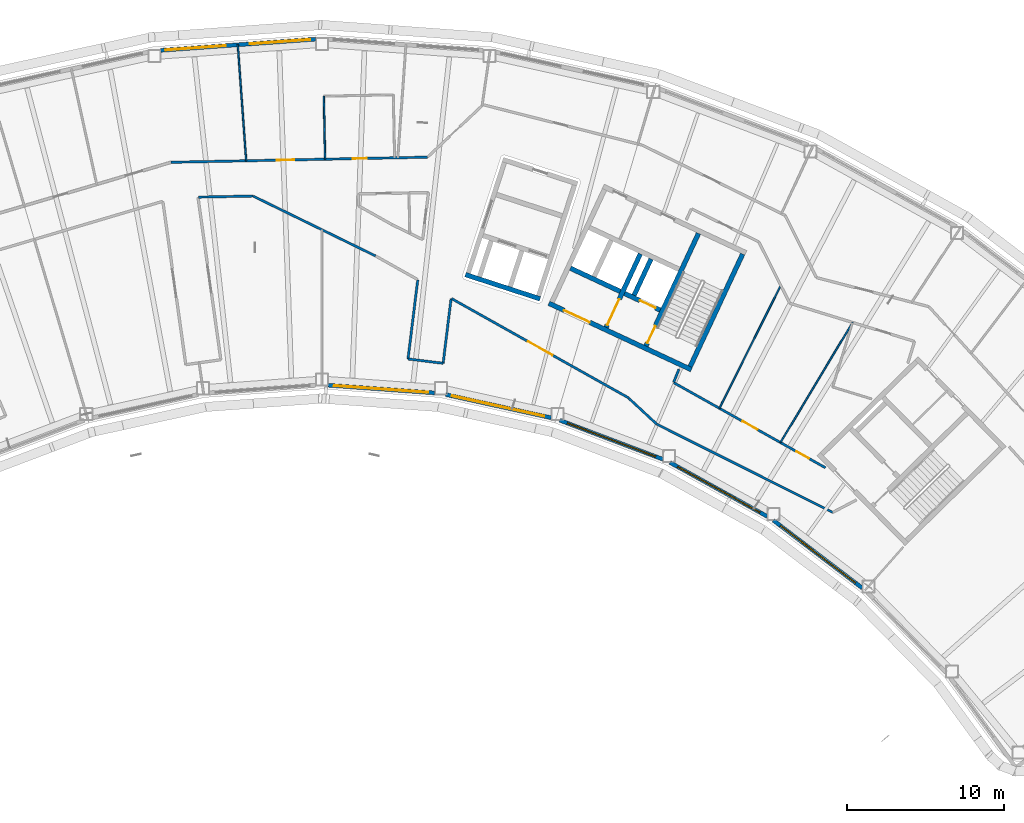
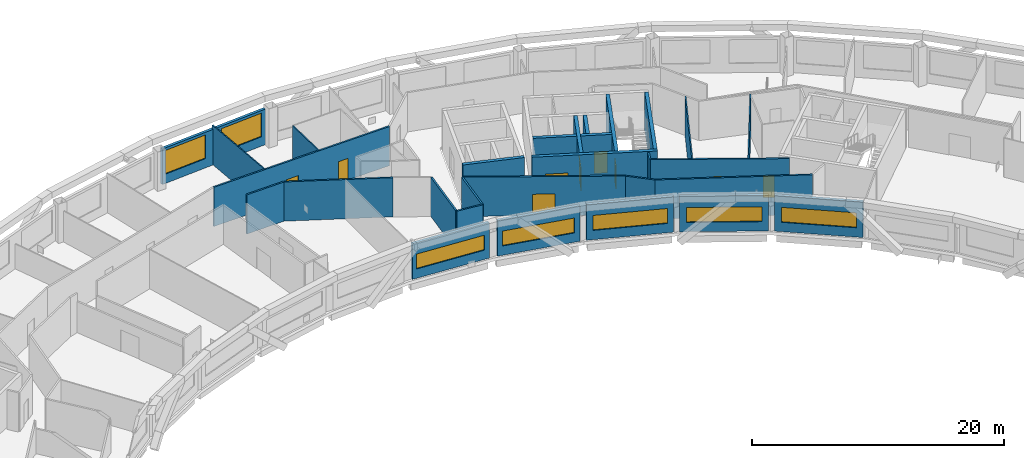
# One storey, part 8 of 21: 29 walls, 9 doors, 7 windows, 16 openings.
"""IFC4 building model written with IfcOpenShell, lengths in metres."""

from ifc_helpers import new_model, si_unit, direction, frame, frame_2d, origin, place, context, subcontext, project, spatial, rectangle, extrude, material, layer, layer_set, type_object, element, fill, save


model = new_model("IFC4")

# Units and contexts
model_context = context("Model", 3, precision=1e-05, world=origin(), true_north=direction((0.0, 1.0)))
body_context = subcontext(model_context, "Body", "Model", "MODEL_VIEW")
ifc_project = project(units=[si_unit("LENGTHUNIT", "METRE"), si_unit("AREAUNIT", "SQUARE_METRE"), si_unit("VOLUMEUNIT", "CUBIC_METRE"), si_unit("PLANEANGLEUNIT", "RADIAN"), si_unit("MASSUNIT", "GRAM", prefix="KILO")], contexts=[model_context])

# Site, building, storey
site_placement = place(None, origin())
site = spatial("IfcSite", under=ifc_project, at=site_placement, CompositionType="ELEMENT")
building_placement = place(site_placement, origin())
building = spatial("IfcBuilding", under=site, at=building_placement, Name="Tuul Gate Civic Tower", CompositionType="ELEMENT")
storey_placement = place(building_placement, frame((0.0, 0.0, 273.60009765625)))
storey = spatial("IfcBuildingStorey", under=building, at=storey_placement, Name="Level 62", CompositionType="ELEMENT", Elevation=273.60009765625)

# Wall, opening, door
ifc_material_1 = material(Name="Concrete C50/60", Category="concrete")
ifc_layer_1 = layer(ifc_material_1, 0.300048828125)
ifc_layer_set_1 = layer_set([ifc_layer_1], Name="Concrete C50/60")
wall_type_1 = type_object("IfcWallType", Name="Core wall C50/60", PredefinedType="SHEAR", material=ifc_layer_set_1)
wall_1_placement = place(storey_placement, frame((34.5283203125, -7.25, 0.0), z_axis=(0.0, 0.0, 1.0), x_axis=(-0.906310338845, 0.422612789327, 0.0)))
wall_1 = element("IfcWall", 1, at=wall_1_placement, inside=storey, type_object=wall_type_1, Name="Core wall", PredefinedType="SHEAR", context=body_context, shape_type="SweptSolid", body=[
    extrude(rectangle(XDim=9.999755859375, YDim=0.300048828125, at=frame_2d((5.0, 0.0))), origin(), (0.0, 0.0, 1.0), 3.7998046875),
])
opening_1_placement = place(wall_1_placement, frame((7.125, 0.0, 0.0)))
opening_1 = element("IfcOpeningElement", 2, at=opening_1_placement, cuts=wall_1, Name="Opening LB-E3-LOBBY-1", PredefinedType="OPENING", context=body_context, shape_type="SweptSolid", body=[
    extrude(rectangle(XDim=1.800048828125, YDim=2.10009765625, at=frame_2d((0.89990234375, 1.050048828125))), frame((0.0, 0.16015625, 0.0), z_axis=(0.0, -1.0, 0.0), x_axis=(1.0, 0.0, 0.0)), (0.0, 0.0, 1.0), 0.320068359375),
])
ifc_material_2 = material(Name="Steel", Category="steel")
door_type_1 = type_object("IfcDoorType", Name="Lobby door", OperationType="DOUBLE_DOOR_SINGLE_SWING", PredefinedType="DOOR", material=ifc_material_2)
door_1_placement = place(opening_1_placement, frame((1.800048828125, 0.0, 0.0), z_axis=(0.0, 0.0, 1.0), x_axis=(-1.0, 0.0, 0.0)))
door_1 = element("IfcDoor", 3, at=door_1_placement, inside=storey, type_object=door_type_1, Name="Lobby door E3-LOBBY", OperationType="DOUBLE_DOOR_SINGLE_SWING", OverallHeight=2.10009765625, OverallWidth=1.800048828125, PredefinedType="DOOR", context=body_context, shape_type="SweptSolid", body=[
    extrude(rectangle(XDim=1.800048828125, YDim=2.10009765625, at=frame_2d((0.900146484375, 1.050048828125))), frame((0.0, 0.02490234375, 0.0), z_axis=(0.0, -1.0, 0.0), x_axis=(1.0, 0.0, 0.0)), (0.0, 0.0, 1.0), 0.050048828125),
])
fill(opening_1, door_1)

wall_2_placement = place(storey_placement, frame((32.545654296875, -3.456787109375, 0.0), z_axis=(0.0, 0.0, 1.0), x_axis=(-0.906300357825, 0.42263419337, 0.0)))
wall_2 = element("IfcWall", 4, at=wall_2_placement, inside=storey, type_object=wall_type_1, Name="Core wall", PredefinedType="SHEAR", context=body_context, shape_type="SweptSolid", body=[
    extrude(rectangle(XDim=2.500244140625, YDim=0.300048828125, at=frame_2d((1.25, 0.0))), origin(), (0.0, 0.0, 1.0), 3.7998046875),
])
opening_2_placement = place(wall_2_placement, frame((0.324951171875, 0.0, 0.0)))
opening_2 = element("IfcOpeningElement", 5, at=opening_2_placement, cuts=wall_2, Name="Opening LD-FF-2", PredefinedType="OPENING", context=body_context, shape_type="SweptSolid", body=[
    extrude(rectangle(XDim=1.10009765625, YDim=2.10009765625, at=frame_2d((0.550048828125, 1.050048828125))), frame((0.0, 0.16015625, 0.0), z_axis=(0.0, -1.0, 0.0), x_axis=(1.0, 0.0, 0.0)), (0.0, 0.0, 1.0), 0.320068359375),
])
ifc_material_3 = material(Name="Stainless steel", Category="steel")
door_type_2 = type_object("IfcDoorType", Name="Landing door", OperationType="DOUBLE_DOOR_SLIDING", PredefinedType="DOOR", material=ifc_material_3)
door_2_placement = place(opening_2_placement, origin())
door_2 = element("IfcDoor", 6, at=door_2_placement, inside=storey, type_object=door_type_2, Name="Fire-fighting lift FF-2 landing door", OperationType="DOUBLE_DOOR_SLIDING", OverallHeight=2.10009765625, OverallWidth=1.10009765625, PredefinedType="DOOR", context=body_context, shape_type="SweptSolid", body=[
    extrude(rectangle(XDim=1.10009765625, YDim=2.10009765625, at=frame_2d((0.550048828125, 1.050048828125))), frame((0.0, 0.02490234375, 0.0), z_axis=(0.0, -1.0, 0.0), x_axis=(1.0, 0.0, 0.0)), (0.0, 0.0, 1.0), 0.050048828125),
])
fill(opening_2, door_2)

# Walls
wall_3_placement = place(storey_placement, frame((30.0078125, -2.2734375, 0.0), z_axis=(0.0, 0.0, 1.0), x_axis=(-0.90630071767, 0.422633421716, 0.0)))
element("IfcWall", 7, at=wall_3_placement, inside=storey, type_object=wall_type_1, Name="Core wall", PredefinedType="SHEAR", context=body_context, shape_type="SweptSolid", body=[
    extrude(rectangle(XDim=3.5, YDim=0.300048828125, at=frame_2d((1.75, 0.0))), origin(), (0.0, 0.0, 1.0), 3.7998046875),
])
wall_4_placement = place(storey_placement, frame((34.455810546875, -7.05078125, 0.0), z_axis=(0.0, 0.0, 1.0), x_axis=(0.422570768258, 0.906329932096, 0.0)))
element("IfcWall", 8, at=wall_4_placement, inside=storey, type_object=wall_type_1, Name="Core wall", PredefinedType="SHEAR", context=body_context, shape_type="SweptSolid", body=[
    extrude(rectangle(XDim=7.900146484375, YDim=0.300048828125, at=frame_2d((3.9501953125, 0.0))), origin(), (0.0, 0.0, 1.0), 3.7998046875),
])

# Wall, opening, door
wall_5_placement = place(storey_placement, frame((31.646240234375, -5.740478515625, 0.0), z_axis=(0.0, 0.0, 1.0), x_axis=(0.422582604137, 0.906324413596, 0.0)))
wall_5 = element("IfcWall", 9, at=wall_5_placement, inside=storey, type_object=wall_type_1, Name="Core wall", PredefinedType="SHEAR", context=body_context, shape_type="SweptSolid", body=[
    extrude(rectangle(XDim=7.89990234375, YDim=0.300048828125, at=frame_2d((3.949951171875, 0.0))), origin(), (0.0, 0.0, 1.0), 3.7998046875),
])
opening_3_placement = place(wall_5_placement, frame((0.199951171875, 0.0, 0.0)))
opening_3 = element("IfcOpeningElement", 10, at=opening_3_placement, cuts=wall_5, Name="Opening SD-ST-4", PredefinedType="OPENING", context=body_context, shape_type="SweptSolid", body=[
    extrude(rectangle(XDim=1.199951171875, YDim=2.10009765625, at=frame_2d((0.60009765625, 1.050048828125))), frame((0.0, 0.16015625, 0.0), z_axis=(0.0, -1.0, 0.0), x_axis=(1.0, 0.0, 0.0)), (0.0, 0.0, 1.0), 0.320068359375),
])
ifc_material_4 = material(Name="Steel", Category="steel")
door_type_3 = type_object("IfcDoorType", Name="Stair door", OperationType="NOTDEFINED", PredefinedType="DOOR", material=ifc_material_4)
door_3_placement = place(opening_3_placement, origin())
door_3 = element("IfcDoor", 11, at=door_3_placement, inside=storey, type_object=door_type_3, Name="Stair door ST-4", OperationType="SINGLE_SWING_LEFT", OverallHeight=2.10009765625, OverallWidth=1.199951171875, PredefinedType="DOOR", context=body_context, shape_type="SweptSolid", body=[
    extrude(rectangle(XDim=1.199951171875, YDim=2.10009765625, at=frame_2d((0.60009765625, 1.050048828125))), frame((0.0, 0.02490234375, 0.0), z_axis=(0.0, -1.0, 0.0), x_axis=(1.0, 0.0, 0.0)), (0.0, 0.0, 1.0), 0.050048828125),
])
fill(opening_3, door_3)

# Wall
wall_6_placement = place(storey_placement, frame((30.886962890625, -2.517822265625, 0.0), z_axis=(0.0, 0.0, 1.0), x_axis=(0.422612891016, 0.906310291427, 0.0)))
element("IfcWall", 12, at=wall_6_placement, inside=storey, type_object=wall_type_1, Name="Core wall", PredefinedType="SHEAR", context=body_context, shape_type="SweptSolid", body=[
    extrude(rectangle(XDim=2.550048828125, YDim=0.300048828125, at=frame_2d((1.27490234375, 0.0))), origin(), (0.0, 0.0, 1.0), 3.7998046875),
])

# Wall, opening, door
wall_7_placement = place(storey_placement, frame((29.108642578125, -4.557373046875, 0.0), z_axis=(0.0, 0.0, 1.0), x_axis=(0.422566235356, 0.90633204552, 0.0)))
wall_7 = element("IfcWall", 13, at=wall_7_placement, inside=storey, type_object=wall_type_1, Name="Core wall", PredefinedType="SHEAR", context=body_context, shape_type="SweptSolid", body=[
    extrude(rectangle(XDim=5.150146484375, YDim=0.300048828125, at=frame_2d((2.5751953125, 0.0))), origin(), (0.0, 0.0, 1.0), 3.7998046875),
])
opening_4_placement = place(wall_7_placement, frame((0.175048828125, 0.0, 0.0)))
opening_4 = element("IfcOpeningElement", 14, at=opening_4_placement, cuts=wall_7, Name="Opening LB-E3-FLOBBY-1", PredefinedType="OPENING", context=body_context, shape_type="SweptSolid", body=[
    extrude(rectangle(XDim=1.800048828125, YDim=2.10009765625, at=frame_2d((0.89990234375, 1.050048828125))), frame((0.0, 0.16015625, 0.0), z_axis=(0.0, -1.0, 0.0), x_axis=(1.0, 0.0, 0.0)), (0.0, 0.0, 1.0), 0.320068359375),
])
door_4_placement = place(opening_4_placement, frame((1.800048828125, 0.0, 0.0), z_axis=(0.0, 0.0, 1.0), x_axis=(-1.0, 0.0, 0.0)))
door_4 = element("IfcDoor", 15, at=door_4_placement, inside=storey, type_object=door_type_1, Name="Lobby door E3-FLOBBY", OperationType="DOUBLE_DOOR_SINGLE_SWING", OverallHeight=2.10009765625, OverallWidth=1.800048828125, PredefinedType="DOOR", context=body_context, shape_type="SweptSolid", body=[
    extrude(rectangle(XDim=1.800048828125, YDim=2.10009765625, at=frame_2d((0.900146484375, 1.050048828125))), frame((0.0, 0.02490234375, 0.0), z_axis=(0.0, -1.0, 0.0), x_axis=(1.0, 0.0, 0.0)), (0.0, 0.0, 1.0), 0.050048828125),
])
fill(opening_4, door_4)

# Wall, openings, doors
ifc_material_5 = material(Name="Gypsum board partition")
ifc_layer_2 = layer(ifc_material_5, 0.14990234375)
ifc_layer_set_2 = layer_set([ifc_layer_2], Name="Gypsum board partition")
wall_type_2 = type_object("IfcWallType", Name="Corridor wall P150", PredefinedType="PARTITIONING", material=ifc_layer_set_2)
wall_8_placement = place(storey_placement, frame((1.44384765625, 5.941162109375, 0.0), z_axis=(0.0, 0.0, 1.0), x_axis=(0.999800724088, 0.019962768161, 0.0)))
wall_8 = element("IfcWall", 16, at=wall_8_placement, inside=storey, type_object=wall_type_2, Name="p026", PredefinedType="PARTITIONING", context=body_context, shape_type="SweptSolid", body=[
    extrude(rectangle(XDim=16.30224609375, YDim=0.14990234375, at=frame_2d((8.151123046875, 0.0))), origin(), (0.0, 0.0, 1.0), 3.7998046875),
])
opening_5_placement = place(wall_8_placement, frame((11.55322265625, 0.0, 0.0)))
opening_5 = element("IfcOpeningElement", 17, at=opening_5_placement, cuts=wall_8, Name="Opening W-D09", PredefinedType="OPENING", context=body_context, shape_type="SweptSolid", body=[
    extrude(rectangle(XDim=0.89990234375, YDim=2.10009765625, at=frame_2d((0.449951171875, 1.050048828125))), frame((0.0, 0.0849609375, 0.0), z_axis=(0.0, -1.0, 0.0), x_axis=(1.0, 0.0, 0.0)), (0.0, 0.0, 1.0), 0.169921875),
])
opening_6_placement = place(wall_8_placement, frame((6.733154296875, 0.0, 0.0)))
opening_6 = element("IfcOpeningElement", 18, at=opening_6_placement, cuts=wall_8, Name="Opening W-D10", PredefinedType="OPENING", context=body_context, shape_type="SweptSolid", body=[
    extrude(rectangle(XDim=1.10009765625, YDim=2.10009765625, at=frame_2d((0.550048828125, 1.050048828125))), frame((0.0, 0.0849609375, 0.0), z_axis=(0.0, -1.0, 0.0), x_axis=(1.0, 0.0, 0.0)), (0.0, 0.0, 1.0), 0.169921875),
])
ifc_material_6 = material(Name="Timber door leaf", Category="wood")
door_type_4 = type_object("IfcDoorType", Name="Door D09", OperationType="NOTDEFINED", PredefinedType="DOOR", material=ifc_material_6)
door_5_placement = place(opening_5_placement, origin())
door_5 = element("IfcDoor", 19, at=door_5_placement, inside=storey, type_object=door_type_4, Name="Door W-D09", OperationType="SINGLE_SWING_RIGHT", OverallHeight=2.10009765625, OverallWidth=0.89990234375, PredefinedType="DOOR", context=body_context, shape_type="SweptSolid", body=[
    extrude(rectangle(XDim=0.89990234375, YDim=2.10009765625, at=frame_2d((0.449951171875, 1.050048828125))), frame((0.0, 0.02490234375, 0.0), z_axis=(0.0, -1.0, 0.0), x_axis=(1.0, 0.0, 0.0)), (0.0, 0.0, 1.0), 0.050048828125),
])
fill(opening_5, door_5)
ifc_material_7 = material(Name="Timber door leaf", Category="wood")
door_type_5 = type_object("IfcDoorType", Name="Door D11", OperationType="NOTDEFINED", PredefinedType="DOOR", material=ifc_material_7)
door_6_placement = place(opening_6_placement, origin())
door_6 = element("IfcDoor", 20, at=door_6_placement, inside=storey, type_object=door_type_5, Name="Door W-D10", OperationType="SINGLE_SWING_RIGHT", OverallHeight=2.10009765625, OverallWidth=1.10009765625, PredefinedType="DOOR", context=body_context, shape_type="SweptSolid", body=[
    extrude(rectangle(XDim=1.10009765625, YDim=2.10009765625, at=frame_2d((0.550048828125, 1.050048828125))), frame((0.0, 0.02490234375, 0.0), z_axis=(0.0, -1.0, 0.0), x_axis=(1.0, 0.0, 0.0)), (0.0, 0.0, 1.0), 0.050048828125),
])
fill(opening_6, door_6)

# Wall
wall_9_placement = place(storey_placement, frame((6.656494140625, 3.792236328125, 0.0), z_axis=(0.0, 0.0, 1.0), x_axis=(0.898361402665, -0.43925708896, 0.0)))
element("IfcWall", 21, at=wall_9_placement, inside=storey, type_object=wall_type_2, Name="p067", PredefinedType="PARTITIONING", context=body_context, shape_type="SweptSolid", body=[
    extrude(rectangle(XDim=8.672119140625, YDim=0.14990234375, at=frame_2d((4.3359375, 0.0))), origin(), (0.0, 0.0, 1.0), 3.7998046875),
])

# Wall, opening, door
wall_10_placement = place(storey_placement, frame((19.274169921875, -2.724609375, 0.0), z_axis=(0.0, 0.0, 1.0), x_axis=(0.872151094842, -0.489236617359, 0.0)))
wall_10 = element("IfcWall", 22, at=wall_10_placement, inside=storey, type_object=wall_type_2, Name="p069", PredefinedType="PARTITIONING", context=body_context, shape_type="SweptSolid", body=[
    extrude(rectangle(XDim=12.9345703125, YDim=0.14990234375, at=frame_2d((6.46728515625, 0.0))), origin(), (0.0, 0.0, 1.0), 3.7998046875),
])
opening_7_placement = place(wall_10_placement, frame((5.5673828125, 0.0, 0.0)))
opening_7 = element("IfcOpeningElement", 23, at=opening_7_placement, cuts=wall_10, Name="Opening W-D22", PredefinedType="OPENING", context=body_context, shape_type="SweptSolid", body=[
    extrude(rectangle(XDim=1.800048828125, YDim=2.10009765625, at=frame_2d((0.89990234375, 1.050048828125))), frame((0.0, 0.0849609375, 0.0), z_axis=(0.0, -1.0, 0.0), x_axis=(1.0, 0.0, 0.0)), (0.0, 0.0, 1.0), 0.169921875),
])
ifc_material_8 = material(Name="Timber door leaf, double", Category="wood")
door_type_6 = type_object("IfcDoorType", Name="Door D18", OperationType="DOUBLE_DOOR_SINGLE_SWING", PredefinedType="DOOR", material=ifc_material_8)
door_7_placement = place(opening_7_placement, frame((1.800048828125, 0.0, 0.0), z_axis=(0.0, 0.0, 1.0), x_axis=(-1.0, 0.0, 0.0)))
door_7 = element("IfcDoor", 24, at=door_7_placement, inside=storey, type_object=door_type_6, Name="Door W-D22", OperationType="DOUBLE_DOOR_SINGLE_SWING", OverallHeight=2.10009765625, OverallWidth=1.800048828125, PredefinedType="DOOR", context=body_context, shape_type="SweptSolid", body=[
    extrude(rectangle(XDim=1.800048828125, YDim=2.10009765625, at=frame_2d((0.900146484375, 1.050048828125))), frame((0.0, 0.02490234375, 0.0), z_axis=(0.0, -1.0, 0.0), x_axis=(1.0, 0.0, 0.0)), (0.0, 0.0, 1.0), 0.050048828125),
])
fill(opening_7, door_7)

# Walls
wall_11_placement = place(storey_placement, frame((32.32861328125, -10.7138671875, 0.0), z_axis=(0.0, 0.0, 1.0), x_axis=(0.893911780054, -0.448242935784, 0.0)))
element("IfcWall", 25, at=wall_11_placement, inside=storey, type_object=wall_type_2, Name="p070", PredefinedType="PARTITIONING", context=body_context, shape_type="SweptSolid", body=[
    extrude(rectangle(XDim=12.51953125, YDim=0.14990234375, at=frame_2d((6.259765625, 0.0))), origin(), (0.0, 0.0, 1.0), 3.7998046875),
])
wall_12_placement = place(storey_placement, frame((16.51025390625, -6.568115234375, 0.0), z_axis=(0.0, 0.0, 1.0), x_axis=(0.12187132843, 0.992545907909, 0.0)))
element("IfcWall", 26, at=wall_12_placement, inside=storey, type_object=wall_type_2, Name="p071", PredefinedType="PARTITIONING", context=body_context, shape_type="SweptSolid", body=[
    extrude(rectangle(XDim=5.0703125, YDim=0.14990234375, at=frame_2d((2.53515625, 0.0))), origin(), (0.0, 0.0, 1.0), 3.7998046875),
])
wall_13_placement = place(storey_placement, frame((16.51025390625, -6.568115234375, 0.0), z_axis=(0.0, 0.0, 1.0), x_axis=(0.992547600352, -0.121857544025, 0.0)))
element("IfcWall", 27, at=wall_13_placement, inside=storey, type_object=wall_type_2, Name="p073", PredefinedType="PARTITIONING", context=body_context, shape_type="SweptSolid", body=[
    extrude(rectangle(XDim=2.25, YDim=0.14990234375, at=frame_2d((1.125, 0.0))), origin(), (0.0, 0.0, 1.0), 3.7998046875),
])
wall_14_placement = place(storey_placement, frame((18.743408203125, -6.84228515625, 0.0), z_axis=(0.0, 0.0, 1.0), x_axis=(0.121852490547, 0.992548220767, 0.0)))
element("IfcWall", 28, at=wall_14_placement, inside=storey, type_object=wall_type_2, Name="p074", PredefinedType="PARTITIONING", context=body_context, shape_type="SweptSolid", body=[
    extrude(rectangle(XDim=4.13134765625, YDim=0.14990234375, at=frame_2d((2.065673828125, 0.0))), origin(), (0.0, 0.0, 1.0), 3.7998046875),
])
wall_15_placement = place(storey_placement, frame((30.56298828125, -9.077880859375, 0.0), z_axis=(0.0, 0.0, 1.0), x_axis=(0.733522791597, -0.679664854327, 0.0)))
element("IfcWall", 29, at=wall_15_placement, inside=storey, type_object=wall_type_2, Name="p076", PredefinedType="PARTITIONING", context=body_context, shape_type="SweptSolid", body=[
    extrude(rectangle(XDim=2.406982421875, YDim=0.14990234375, at=frame_2d((1.20361328125, 0.0))), origin(), (0.0, 0.0, 1.0), 3.7998046875),
])
wall_16_placement = place(storey_placement, frame((33.404541015625, -8.051025390625, 0.0), z_axis=(0.0, 0.0, 1.0), x_axis=(0.37461083816, 0.927182139568, 0.0)))
element("IfcWall", 30, at=wall_16_placement, inside=storey, type_object=wall_type_2, Name="p078", PredefinedType="PARTITIONING", context=body_context, shape_type="SweptSolid", body=[
    extrude(rectangle(XDim=0.9013671875, YDim=0.14990234375, at=frame_2d((0.45068359375, 0.0))), origin(), (0.0, 0.0, 1.0), 3.7998046875),
])
wall_17_placement = place(storey_placement, frame((3.17431640625, 3.72509765625, 0.0), z_axis=(0.0, 0.0, 1.0), x_axis=(0.999799243944, 0.020036761446, 0.0)))
element("IfcWall", 31, at=wall_17_placement, inside=storey, type_object=wall_type_2, Name="p083", PredefinedType="PARTITIONING", context=body_context, shape_type="SweptSolid", body=[
    extrude(rectangle(XDim=3.47265625, YDim=0.14990234375, at=frame_2d((1.736328125, 0.0))), origin(), (0.0, 0.0, 1.0), 3.7998046875),
])

# Wall, openings, doors
wall_18_placement = place(storey_placement, frame((33.41357421875, -8.076416015625, 0.0), z_axis=(0.0, 0.0, 1.0), x_axis=(0.872143730179, -0.489249745947, 0.0)))
wall_18 = element("IfcWall", 32, at=wall_18_placement, inside=storey, type_object=wall_type_2, Name="p099", PredefinedType="PARTITIONING", context=body_context, shape_type="SweptSolid", body=[
    extrude(rectangle(XDim=11.06201171875, YDim=0.14990234375, at=frame_2d((5.531005859375, 0.0))), origin(), (0.0, 0.0, 1.0), 3.7998046875),
])
opening_8_placement = place(wall_18_placement, frame((5.004638671875, 0.0, 0.0)))
opening_8 = element("IfcOpeningElement", 33, at=opening_8_placement, cuts=wall_18, Name="Opening W-D29", PredefinedType="OPENING", context=body_context, shape_type="SweptSolid", body=[
    extrude(rectangle(XDim=1.10009765625, YDim=2.10009765625, at=frame_2d((0.550048828125, 1.050048828125))), frame((0.0, 0.0849609375, 0.0), z_axis=(0.0, -1.0, 0.0), x_axis=(1.0, 0.0, 0.0)), (0.0, 0.0, 1.0), 0.169921875),
])
opening_9_placement = place(wall_18_placement, frame((8.95556640625, 0.0, 0.0)))
opening_9 = element("IfcOpeningElement", 34, at=opening_9_placement, cuts=wall_18, Name="Opening W-D32", PredefinedType="OPENING", context=body_context, shape_type="SweptSolid", body=[
    extrude(rectangle(XDim=0.89990234375, YDim=2.10009765625, at=frame_2d((0.449951171875, 1.050048828125))), frame((0.0, 0.0849609375, 0.0), z_axis=(0.0, -1.0, 0.0), x_axis=(1.0, 0.0, 0.0)), (0.0, 0.0, 1.0), 0.169921875),
])
door_8_placement = place(opening_9_placement, origin())
door_8 = element("IfcDoor", 35, at=door_8_placement, inside=storey, type_object=door_type_4, Name="Door W-D32", OperationType="SINGLE_SWING_LEFT", OverallHeight=2.10009765625, OverallWidth=0.89990234375, PredefinedType="DOOR", context=body_context, shape_type="SweptSolid", body=[
    extrude(rectangle(XDim=0.89990234375, YDim=2.10009765625, at=frame_2d((0.449951171875, 1.050048828125))), frame((0.0, 0.02490234375, 0.0), z_axis=(0.0, -1.0, 0.0), x_axis=(1.0, 0.0, 0.0)), (0.0, 0.0, 1.0), 0.050048828125),
])
fill(opening_9, door_8)
door_9_placement = place(opening_8_placement, origin())
door_9 = element("IfcDoor", 36, at=door_9_placement, inside=storey, type_object=door_type_5, Name="Door W-D29", OperationType="SINGLE_SWING_RIGHT", OverallHeight=2.10009765625, OverallWidth=1.10009765625, PredefinedType="DOOR", context=body_context, shape_type="SweptSolid", body=[
    extrude(rectangle(XDim=1.10009765625, YDim=2.10009765625, at=frame_2d((0.550048828125, 1.050048828125))), frame((0.0, 0.02490234375, 0.0), z_axis=(0.0, -1.0, 0.0), x_axis=(1.0, 0.0, 0.0)), (0.0, 0.0, 1.0), 0.050048828125),
])
fill(opening_8, door_9)

# Wall, openings, windows
ifc_material_9 = material(Name="Precast concrete C40/50", Category="concrete")
ifc_layer_3 = layer(ifc_material_9, 0.25)
ifc_layer_set_3 = layer_set([ifc_layer_3], Name="Precast concrete C40/50")
wall_type_3 = type_object("IfcWallType", Name="External wall", PredefinedType="STANDARD", material=ifc_layer_set_3)
wall_19_placement = place(storey_placement, frame((10.631103515625, 13.770751953125, 0.0), z_axis=(0.0, 0.0, 1.0), x_axis=(-0.997387687721, -0.072234343517, 0.0)))
wall_19 = element("IfcWall", 37, at=wall_19_placement, inside=storey, type_object=wall_type_3, Name="External wall", PredefinedType="STANDARD", context=body_context, shape_type="SweptSolid", body=[
    extrude(rectangle(XDim=9.8759765625, YDim=0.25, at=frame_2d((4.93798828125, 0.0))), origin(), (0.0, 0.0, 1.0), 3.449951171875),
])
opening_10_placement = place(wall_19_placement, frame((0.3505859375, 0.0, 0.89990234375)))
opening_10 = element("IfcOpeningElement", 38, at=opening_10_placement, cuts=wall_19, Name="Opening W22", PredefinedType="OPENING", context=body_context, shape_type="SweptSolid", body=[
    extrude(rectangle(XDim=3.85009765625, YDim=2.300048828125, at=frame_2d((1.925048828125, 1.14990234375))), frame((0.0, 0.135009765625, 0.0), z_axis=(0.0, -1.0, 0.0), x_axis=(1.0, 0.0, 0.0)), (0.0, 0.0, 1.0), 0.27001953125),
])
opening_11_placement = place(wall_19_placement, frame((5.72216796875, 0.0, 0.89990234375)))
opening_11 = element("IfcOpeningElement", 39, at=opening_11_placement, cuts=wall_19, Name="Opening W22", PredefinedType="OPENING", context=body_context, shape_type="SweptSolid", body=[
    extrude(rectangle(XDim=3.85009765625, YDim=2.300048828125, at=frame_2d((1.925048828125, 1.14990234375))), frame((0.0, 0.135009765625, 0.0), z_axis=(0.0, -1.0, 0.0), x_axis=(1.0, 0.0, 0.0)), (0.0, 0.0, 1.0), 0.27001953125),
])
ifc_material_10 = material(Name="Glass", Category="glass")
window_type_1 = type_object("IfcWindowType", Name="Window W22 3850 x 2300", PartitioningType="SINGLE_PANEL", PredefinedType="WINDOW", material=ifc_material_10)
window_1_placement = place(opening_10_placement, origin())
window_1 = element("IfcWindow", 40, at=window_1_placement, inside=storey, type_object=window_type_1, Name="Window", OverallHeight=2.300048828125, OverallWidth=3.85009765625, PartitioningType="SINGLE_PANEL", PredefinedType="WINDOW", context=body_context, shape_type="SweptSolid", body=[
    extrude(rectangle(XDim=3.85009765625, YDim=2.300048828125, at=frame_2d((1.925048828125, 1.14990234375))), frame((0.0, 0.030029296875, 0.0), z_axis=(0.0, -1.0, 0.0), x_axis=(1.0, 0.0, 0.0)), (0.0, 0.0, 1.0), 0.06005859375),
])
fill(opening_10, window_1)
window_2_placement = place(opening_11_placement, origin())
window_2 = element("IfcWindow", 41, at=window_2_placement, inside=storey, type_object=window_type_1, Name="Window", OverallHeight=2.300048828125, OverallWidth=3.85009765625, PartitioningType="SINGLE_PANEL", PredefinedType="WINDOW", context=body_context, shape_type="SweptSolid", body=[
    extrude(rectangle(XDim=3.85009765625, YDim=2.300048828125, at=frame_2d((1.925048828125, 1.14990234375))), frame((0.0, 0.030029296875, 0.0), z_axis=(0.0, -1.0, 0.0), x_axis=(1.0, 0.0, 0.0)), (0.0, 0.0, 1.0), 0.06005859375),
])
fill(opening_11, window_2)

# Wall, opening, window
wall_20_placement = place(storey_placement, frame((11.430908203125, -8.236572265625, 0.0), z_axis=(0.0, 0.0, 1.0), x_axis=(0.997384795983, -0.072274260578, 0.0)))
wall_20 = element("IfcWall", 42, at=wall_20_placement, inside=storey, type_object=wall_type_3, Name="External wall", PredefinedType="STANDARD", context=body_context, shape_type="SweptSolid", body=[
    extrude(rectangle(XDim=6.789794921875, YDim=0.25, at=frame_2d((3.39501953125, 0.0))), origin(), (0.0, 0.0, 1.0), 3.449951171875),
])
opening_12_placement = place(wall_20_placement, frame((0.37109375, 0.0, 0.89990234375)))
opening_12 = element("IfcOpeningElement", 43, at=opening_12_placement, cuts=wall_20, Name="Opening W107", PredefinedType="OPENING", context=body_context, shape_type="SweptSolid", body=[
    extrude(rectangle(XDim=6.0, YDim=1.449951171875, at=frame_2d((3.0, 0.72509765625))), frame((0.0, 0.135009765625, 0.0), z_axis=(0.0, -1.0, 0.0), x_axis=(1.0, 0.0, 0.0)), (0.0, 0.0, 1.0), 0.27001953125),
])
ifc_material_11 = material(Name="Glass", Category="glass")
window_type_2 = type_object("IfcWindowType", Name="Window W107 6000 x 1450", PartitioningType="SINGLE_PANEL", PredefinedType="WINDOW", material=ifc_material_11)
window_3_placement = place(opening_12_placement, origin())
window_3 = element("IfcWindow", 44, at=window_3_placement, inside=storey, type_object=window_type_2, Name="Window", OverallHeight=1.449951171875, OverallWidth=6.0, PartitioningType="SINGLE_PANEL", PredefinedType="WINDOW", context=body_context, shape_type="SweptSolid", body=[
    extrude(rectangle(XDim=6.0, YDim=1.449951171875, at=frame_2d((3.0, 0.72509765625))), frame((0.0, 0.030029296875, 0.0), z_axis=(0.0, -1.0, 0.0), x_axis=(1.0, 0.0, 0.0)), (0.0, 0.0, 1.0), 0.06005859375),
])
fill(opening_12, window_3)

wall_21_placement = place(storey_placement, frame((18.90576171875, -8.830078125, 0.0), z_axis=(0.0, 0.0, 1.0), x_axis=(0.976589118116, -0.215113212929, 0.0)))
wall_21 = element("IfcWall", 45, at=wall_21_placement, inside=storey, type_object=wall_type_3, Name="External wall", PredefinedType="STANDARD", context=body_context, shape_type="SweptSolid", body=[
    extrude(rectangle(XDim=6.8720703125, YDim=0.25, at=frame_2d((3.43603515625, 0.0))), origin(), (0.0, 0.0, 1.0), 3.449951171875),
])
opening_13_placement = place(wall_21_placement, frame((0.4140625, 0.0, 0.89990234375)))
opening_13 = element("IfcOpeningElement", 46, at=opening_13_placement, cuts=wall_21, Name="Opening W107", PredefinedType="OPENING", context=body_context, shape_type="SweptSolid", body=[
    extrude(rectangle(XDim=6.0, YDim=1.449951171875, at=frame_2d((3.0, 0.72509765625))), frame((0.0, 0.135009765625, 0.0), z_axis=(0.0, -1.0, 0.0), x_axis=(1.0, 0.0, 0.0)), (0.0, 0.0, 1.0), 0.27001953125),
])
window_4_placement = place(opening_13_placement, origin())
window_4 = element("IfcWindow", 47, at=window_4_placement, inside=storey, type_object=window_type_2, Name="Window", OverallHeight=1.449951171875, OverallWidth=6.0, PartitioningType="SINGLE_PANEL", PredefinedType="WINDOW", context=body_context, shape_type="SweptSolid", body=[
    extrude(rectangle(XDim=6.0, YDim=1.449951171875, at=frame_2d((3.0, 0.72509765625))), frame((0.0, 0.030029296875, 0.0), z_axis=(0.0, -1.0, 0.0), x_axis=(1.0, 0.0, 0.0)), (0.0, 0.0, 1.0), 0.06005859375),
])
fill(opening_13, window_4)

wall_22_placement = place(storey_placement, frame((26.15673828125, -10.464111328125, 0.0), z_axis=(0.0, 0.0, 1.0), x_axis=(0.935331393711, -0.353772785752, 0.0)))
wall_22 = element("IfcWall", 48, at=wall_22_placement, inside=storey, type_object=wall_type_3, Name="External wall", PredefinedType="STANDARD", context=body_context, shape_type="SweptSolid", body=[
    extrude(rectangle(XDim=7.014892578125, YDim=0.25, at=frame_2d((3.50732421875, 0.0))), origin(), (0.0, 0.0, 1.0), 3.449951171875),
])
opening_14_placement = place(wall_22_placement, frame((0.52294921875, 0.0, 0.89990234375)))
opening_14 = element("IfcOpeningElement", 49, at=opening_14_placement, cuts=wall_22, Name="Opening W107", PredefinedType="OPENING", context=body_context, shape_type="SweptSolid", body=[
    extrude(rectangle(XDim=6.0, YDim=1.449951171875, at=frame_2d((3.0, 0.72509765625))), frame((0.0, 0.135009765625, 0.0), z_axis=(0.0, -1.0, 0.0), x_axis=(1.0, 0.0, 0.0)), (0.0, 0.0, 1.0), 0.27001953125),
])
window_5_placement = place(opening_14_placement, origin())
window_5 = element("IfcWindow", 50, at=window_5_placement, inside=storey, type_object=window_type_2, Name="Window", OverallHeight=1.449951171875, OverallWidth=6.0, PartitioningType="SINGLE_PANEL", PredefinedType="WINDOW", context=body_context, shape_type="SweptSolid", body=[
    extrude(rectangle(XDim=6.0, YDim=1.449951171875, at=frame_2d((3.0, 0.72509765625))), frame((0.0, 0.030029296875, 0.0), z_axis=(0.0, -1.0, 0.0), x_axis=(1.0, 0.0, 0.0)), (0.0, 0.0, 1.0), 0.06005859375),
])
fill(opening_14, window_5)

wall_23_placement = place(storey_placement, frame((33.167724609375, -13.14892578125, 0.0), z_axis=(0.0, 0.0, 1.0), x_axis=(0.874609302381, -0.484828390452, 0.0)))
wall_23 = element("IfcWall", 51, at=wall_23_placement, inside=storey, type_object=wall_type_3, Name="External wall", PredefinedType="STANDARD", context=body_context, shape_type="SweptSolid", body=[
    extrude(rectangle(XDim=7.07666015625, YDim=0.25, at=frame_2d((3.538330078125, 0.0))), origin(), (0.0, 0.0, 1.0), 3.449951171875),
])
opening_15_placement = place(wall_23_placement, frame((0.55810546875, 0.0, 0.89990234375)))
opening_15 = element("IfcOpeningElement", 52, at=opening_15_placement, cuts=wall_23, Name="Opening W107", PredefinedType="OPENING", context=body_context, shape_type="SweptSolid", body=[
    extrude(rectangle(XDim=6.0, YDim=1.449951171875, at=frame_2d((3.0, 0.72509765625))), frame((0.0, 0.135009765625, 0.0), z_axis=(0.0, -1.0, 0.0), x_axis=(1.0, 0.0, 0.0)), (0.0, 0.0, 1.0), 0.27001953125),
])
window_6_placement = place(opening_15_placement, origin())
window_6 = element("IfcWindow", 53, at=window_6_placement, inside=storey, type_object=window_type_2, Name="Window", OverallHeight=1.449951171875, OverallWidth=6.0, PartitioningType="SINGLE_PANEL", PredefinedType="WINDOW", context=body_context, shape_type="SweptSolid", body=[
    extrude(rectangle(XDim=6.0, YDim=1.449951171875, at=frame_2d((3.0, 0.72509765625))), frame((0.0, 0.030029296875, 0.0), z_axis=(0.0, -1.0, 0.0), x_axis=(1.0, 0.0, 0.0)), (0.0, 0.0, 1.0), 0.06005859375),
])
fill(opening_15, window_6)

wall_24_placement = place(storey_placement, frame((39.746337890625, -16.830078125, 0.0), z_axis=(0.0, 0.0, 1.0), x_axis=(0.795636022241, -0.605774974815, 0.0)))
wall_24 = element("IfcWall", 54, at=wall_24_placement, inside=storey, type_object=wall_type_3, Name="External wall", PredefinedType="STANDARD", context=body_context, shape_type="SweptSolid", body=[
    extrude(rectangle(XDim=7.103271484375, YDim=0.25, at=frame_2d((3.5517578125, 0.0))), origin(), (0.0, 0.0, 1.0), 3.449951171875),
])
opening_16_placement = place(wall_24_placement, frame((0.56201171875, 0.0, 0.89990234375)))
opening_16 = element("IfcOpeningElement", 55, at=opening_16_placement, cuts=wall_24, Name="Opening W107", PredefinedType="OPENING", context=body_context, shape_type="SweptSolid", body=[
    extrude(rectangle(XDim=6.0, YDim=1.449951171875, at=frame_2d((3.0, 0.72509765625))), frame((0.0, 0.135009765625, 0.0), z_axis=(0.0, -1.0, 0.0), x_axis=(1.0, 0.0, 0.0)), (0.0, 0.0, 1.0), 0.27001953125),
])
window_7_placement = place(opening_16_placement, origin())
window_7 = element("IfcWindow", 56, at=window_7_placement, inside=storey, type_object=window_type_2, Name="Window", OverallHeight=1.449951171875, OverallWidth=6.0, PartitioningType="SINGLE_PANEL", PredefinedType="WINDOW", context=body_context, shape_type="SweptSolid", body=[
    extrude(rectangle(XDim=6.0, YDim=1.449951171875, at=frame_2d((3.0, 0.72509765625))), frame((0.0, 0.030029296875, 0.0), z_axis=(0.0, -1.0, 0.0), x_axis=(1.0, 0.0, 0.0)), (0.0, 0.0, 1.0), 0.06005859375),
])
fill(opening_16, window_7)

# Walls
ifc_material_12 = material(Name="Concrete C40/50", Category="concrete")
ifc_layer_4 = layer(ifc_material_12, 0.300048828125)
ifc_layer_set_4 = layer_set([ifc_layer_4], Name="Concrete C40/50")
wall_type_4 = type_object("IfcWallType", Name="Lift shaft wall C40/50", PredefinedType="STANDARD", material=ifc_layer_set_4)
wall_25_placement = place(storey_placement, frame((24.911376953125, -2.746337890625, -0.300048828125), z_axis=(0.0, 0.0, 1.0), x_axis=(-0.951067792613, 0.308982287281, 0.0)))
element("IfcWall", 57, at=wall_25_placement, inside=storey, type_object=wall_type_4, Name="Shaft wall", PredefinedType="STANDARD", context=body_context, shape_type="SweptSolid", body=[
    extrude(rectangle(XDim=5.0, YDim=0.300048828125, at=frame_2d((2.5, 0.0))), origin(), (0.0, 0.0, 1.0), 4.099853515625),
])
ifc_material_13 = material(Name="Gypsum board partition")
ifc_layer_5 = layer(ifc_material_13, 0.10009765625)
ifc_layer_set_5 = layer_set([ifc_layer_5], Name="Gypsum board partition")
wall_type_5 = type_object("IfcWallType", Name="Partition P100", PredefinedType="PARTITIONING", material=ifc_layer_set_5)
wall_26_placement = place(storey_placement, frame((11.1552734375, 10.145751953125, 0.0), z_axis=(0.0, 0.0, 1.0), x_axis=(0.019970439513, -0.999800570887, 0.0)))
element("IfcWall", 58, at=wall_26_placement, inside=storey, type_object=wall_type_5, Name="p027", PredefinedType="PARTITIONING", context=body_context, shape_type="SweptSolid", body=[
    extrude(rectangle(XDim=4.009765625, YDim=0.10009765625, at=frame_2d((2.0048828125, 0.0))), origin(), (0.0, 0.0, 1.0), 3.7998046875),
])
wall_27_placement = place(storey_placement, frame((5.682373046875, 13.417236328125, 0.0), z_axis=(0.0, 0.0, 1.0), x_axis=(0.072250478851, -0.997386519011, 0.0)))
element("IfcWall", 59, at=wall_27_placement, inside=storey, type_object=wall_type_5, Name="p030", PredefinedType="PARTITIONING", context=body_context, shape_type="SweptSolid", body=[
    extrude(rectangle(XDim=7.400146484375, YDim=0.10009765625, at=frame_2d((3.7001953125, 0.0))), origin(), (0.0, 0.0, 1.0), 3.7998046875),
])
wall_28_placement = place(storey_placement, frame((40.19775390625, -11.88232421875, 0.0), z_axis=(0.0, 0.0, 1.0), x_axis=(0.515043744128, 0.857163894267, 0.0)))
element("IfcWall", 60, at=wall_28_placement, inside=storey, type_object=wall_type_5, Name="p106", PredefinedType="PARTITIONING", context=body_context, shape_type="SweptSolid", body=[
    extrude(rectangle(XDim=8.90869140625, YDim=0.10009765625, at=frame_2d((4.454345703125, 0.0))), origin(), (0.0, 0.0, 1.0), 3.7998046875),
])
wall_29_placement = place(storey_placement, frame((36.318115234375, -9.7060546875, 0.0), z_axis=(0.0, 0.0, 1.0), x_axis=(0.446195921352, 0.894935304795, 0.0)))
element("IfcWall", 61, at=wall_29_placement, inside=storey, type_object=wall_type_5, Name="p107", PredefinedType="PARTITIONING", context=body_context, shape_type="SweptSolid", body=[
    extrude(rectangle(XDim=8.73486328125, YDim=0.10009765625, at=frame_2d((4.367431640625, 0.0))), origin(), (0.0, 0.0, 1.0), 3.7998046875),
])

save(model, "model.ifc")
